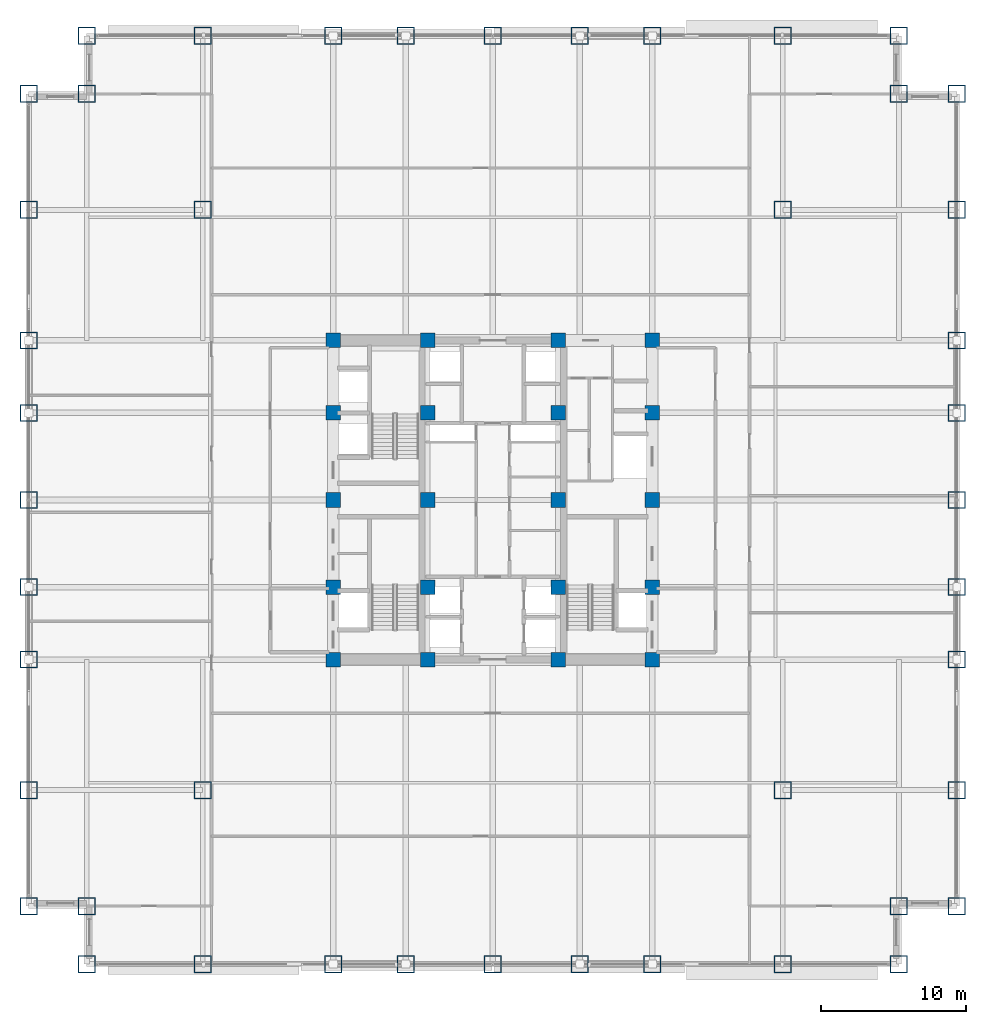
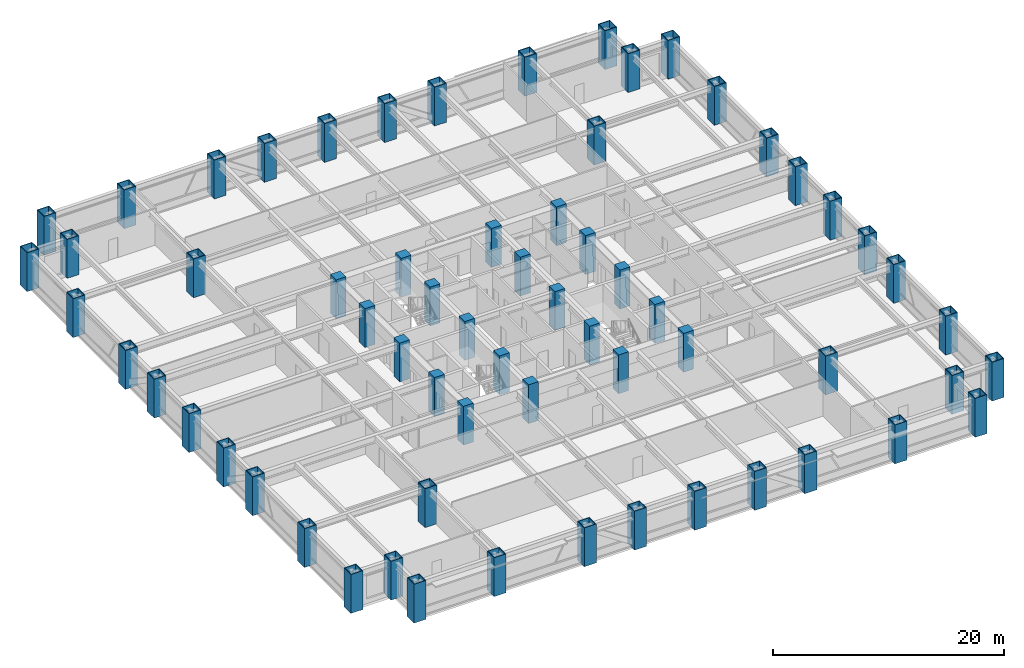
# One storey, part 1 of 32: 64 columns.
"""IFC4 building model written with IfcOpenShell, lengths in metres."""

import ifcopenshell
import ifcopenshell.guid

model = None  # the IFC model being written
_history = None  # IfcOwnerHistory: only IFC2X3 demands one
_inside = {}  # id of a spatial element -> (the spatial element, [elements in it])
_under = {}  # id of a project, library or spatial element -> (it, [spatial elements below it])
_declared = {}  # id of a project -> (the project, [libraries it declares])
_typed = {}  # id of a type object -> (the type object, [elements of that type])
_made_of = {}  # id of a material, layer set ... -> (it, [elements and type objects made of it])


def new_model(schema):
    """Start an empty IFC model of exactly this schema.

    Asked for "IFC4X3", IfcOpenShell would pick the latest addendum, in which some entities
    have other attributes; the version numbers below select the first issue.
    IFC2X3 requires an IfcOwnerHistory on every rooted entity: one is made here for all.
    """
    global model, _history
    if schema == "IFC4X3":
        model = ifcopenshell.file(schema_version=(4, 3, 0, 0))
    else:
        model = ifcopenshell.file(schema=schema)
    _inside.clear()
    _under.clear()
    _declared.clear()
    _typed.clear()
    _made_of.clear()
    _history = None
    if model.schema == "IFC2X3":
        org = make("IfcOrganization", Name="unknown")
        user = make(
            "IfcPersonAndOrganization",
            ThePerson=make("IfcPerson", FamilyName="unknown"),
            TheOrganization=org,
        )
        app = make(
            "IfcApplication",
            ApplicationDeveloper=org,
            Version="unknown",
            ApplicationFullName="unknown",
            ApplicationIdentifier="unknown",
        )
        _history = make(
            "IfcOwnerHistory",
            OwningUser=user,
            OwningApplication=app,
            ChangeAction="ADDED",
            CreationDate=0,
        )
    return model


def make(cls, **values):
    """One entity of the class cls with the attributes given. An attribute that is None is left unset."""
    return model.create_entity(
        cls, **{name: value for name, value in values.items() if value is not None}
    )


def rooted(cls, **values):
    """An entity with a GlobalId (a new one), such as an element, a storey or a relation."""
    return make(cls, GlobalId=ifcopenshell.guid.new(), OwnerHistory=_history, **values)


def si_unit(unit_type, name, prefix=None):
    """IfcSIUnit, for example si_unit("LENGTHUNIT", "METRE", prefix="MILLI")."""
    return make("IfcSIUnit", UnitType=unit_type, Prefix=prefix, Name=name)


def assignment(units):
    """IfcUnitAssignment: the units of a project."""
    return None if units is None else make("IfcUnitAssignment", Units=units)


def point(xyz):
    """IfcCartesianPoint."""
    return None if xyz is None else make("IfcCartesianPoint", Coordinates=xyz)


def direction(xyz):
    """IfcDirection."""
    return None if xyz is None else make("IfcDirection", DirectionRatios=xyz)


def frame(location, z_axis=None, x_axis=None):
    """IfcAxis2Placement3D, a coordinate frame: its origin and axes. An axis left out is left unset."""
    return make(
        "IfcAxis2Placement3D",
        Location=point(location),
        Axis=direction(z_axis),
        RefDirection=direction(x_axis),
    )


def frame_2d(location, x_axis=None):
    """IfcAxis2Placement2D, a coordinate frame in the plane: its origin and x axis."""
    return make(
        "IfcAxis2Placement2D", Location=point(location), RefDirection=direction(x_axis)
    )


def origin():
    """The frame at (0, 0, 0) with its axes left unset."""
    return frame((0.0, 0.0, 0.0))


def origin_2d():
    """The frame at (0, 0) in the plane with its x axis left unset."""
    return frame_2d((0.0, 0.0))


def place(relative_to, where):
    """IfcLocalPlacement: puts the frame where relative to a parent placement (None: the world)."""
    return make(
        "IfcLocalPlacement", PlacementRelTo=relative_to, RelativePlacement=where
    )


def context(
    kind, dimensions, precision=None, world=None, true_north=None, identifier=None
):
    """IfcGeometricRepresentationContext, for example the 3D "Model" context."""
    return make(
        "IfcGeometricRepresentationContext",
        ContextIdentifier=identifier,
        ContextType=kind,
        CoordinateSpaceDimension=dimensions,
        Precision=precision,
        WorldCoordinateSystem=world,
        TrueNorth=true_north,
    )


def subcontext(parent, identifier, kind, view, scale=None):
    """IfcGeometricRepresentationSubContext, for example "Body" below "Model"."""
    return make(
        "IfcGeometricRepresentationSubContext",
        ContextIdentifier=identifier,
        ContextType=kind,
        ParentContext=parent,
        TargetScale=scale,
        TargetView=view,
    )


def project(units=None, contexts=None):
    """IfcProject with its units and contexts."""
    return rooted(
        "IfcProject",
        Name="project",
        RepresentationContexts=contexts,
        UnitsInContext=assignment(units),
    )


def spatial(cls, under=None, at=None, **own):
    """A site, building, storey or space (cls), placed at a placement, below another one or the project."""
    s = rooted(cls, ObjectPlacement=at, **own)
    if under is not None:
        _under.setdefault(under.id(), (under, []))[1].append(s)
    return s


def profile(cls, at=None, kind="AREA", **sizes):
    """A parametric profile (cls). Its sizes go by their IFC names, for example OverallWidth=200.0."""
    return make(cls, ProfileType=kind, Position=at, **sizes)


def rectangle(**sizes):
    """IfcRectangleProfileDef."""
    return profile("IfcRectangleProfileDef", **sizes)


def hollow_rectangle(**sizes):
    """IfcRectangleHollowProfileDef."""
    return profile("IfcRectangleHollowProfileDef", **sizes)


def extrude(swept, where, along, depth):
    """IfcExtrudedAreaSolid: the profile swept, set in the frame where, extruded along a direction by depth."""
    return make(
        "IfcExtrudedAreaSolid",
        SweptArea=swept,
        Position=where,
        ExtrudedDirection=direction(along),
        Depth=depth,
    )


def shape(context_of_items, identifier, shape_type, items):
    """IfcShapeRepresentation: the items that make up one representation, for example the "Body"."""
    return make(
        "IfcShapeRepresentation",
        ContextOfItems=context_of_items,
        RepresentationIdentifier=identifier,
        RepresentationType=shape_type,
        Items=items,
    )


def source(mapping_origin, context_of_items, identifier, shape_type, items):
    """IfcRepresentationMap: a shape defined once, which mapped items show again and again."""
    return make(
        "IfcRepresentationMap",
        MappingOrigin=mapping_origin,
        MappedRepresentation=shape(context_of_items, identifier, shape_type, items),
    )


def transform(
    local_origin,
    x_axis=None,
    y_axis=None,
    z_axis=None,
    scale=None,
    scale2=None,
    scale3=None,
    uniform=True,
):
    """IfcCartesianTransformationOperator3D, or its non-uniform kind. x_axis, y_axis, z_axis: its Axis1, 2, 3."""
    if uniform:
        return make(
            "IfcCartesianTransformationOperator3D",
            Axis1=direction(x_axis),
            Axis2=direction(y_axis),
            LocalOrigin=point(local_origin),
            Scale=scale,
            Axis3=direction(z_axis),
        )
    return make(
        "IfcCartesianTransformationOperator3DnonUniform",
        Axis1=direction(x_axis),
        Axis2=direction(y_axis),
        LocalOrigin=point(local_origin),
        Scale=scale,
        Axis3=direction(z_axis),
        Scale2=scale2,
        Scale3=scale3,
    )


def mapped(mapping_source, mapping_target):
    """IfcMappedItem: shows the shape of a source again, moved by a transform."""
    return make(
        "IfcMappedItem", MappingSource=mapping_source, MappingTarget=mapping_target
    )


def material(Name=None, Category=None):
    """IfcMaterial."""
    return make("IfcMaterial", Name=Name, Category=Category)


def material_profile(
    of_material, cross_section, Name=None, Category=None, Priority=None
):
    """IfcMaterialProfile: a cross section and its material."""
    return make(
        "IfcMaterialProfile",
        Name=Name,
        Material=of_material,
        Profile=cross_section,
        Priority=Priority,
        Category=Category,
    )


def profile_set(profiles, Name=None, composite=None):
    """IfcMaterialProfileSet."""
    return make(
        "IfcMaterialProfileSet",
        Name=Name,
        MaterialProfiles=profiles,
        CompositeProfile=composite,
    )


def made_of(thing, what):
    """Note that an element or type object is made of a material, layer set ...; save() writes the relation."""
    if what is not None:
        _made_of.setdefault(what.id(), (what, []))[1].append(thing)
    return thing


def type_object(cls, material=None, **own):
    """A type object (cls), such as IfcWallType, which elements share."""
    return made_of(rooted(cls, **own), material)


def element(
    cls,
    number,
    at=None,
    inside=None,
    cuts=None,
    type_object=None,
    material=None,
    context=None,
    identifier="Body",
    shape_type=None,
    held_by="IfcProductDefinitionShape",
    body=None,
    shapes=None,
    **own,
):
    """One element of the class cls, such as IfcWall. Its Tag is "e" and its number.

    at: its placement. inside: the storey or other place that contains it. cuts: it is an
    opening in that element (IfcRelVoidsElement). A single representation is given by context,
    identifier, shape_type and body (its items); several are given by shapes. held_by: the class
    of the entity that holds the representations. save() writes the other relations.
    """
    e = rooted(cls, Tag="e%d" % number, ObjectPlacement=at, **own)
    if body is not None:
        shapes = [shape(context, identifier, shape_type, body)]
    if shapes is not None:
        e.Representation = make(held_by, Representations=shapes)
    if inside is not None:
        _inside.setdefault(inside.id(), (inside, []))[1].append(e)
    if cuts is not None:
        rooted(
            "IfcRelVoidsElement", RelatingBuildingElement=cuts, RelatedOpeningElement=e
        )
    if type_object is not None:
        _typed.setdefault(type_object.id(), (type_object, []))[1].append(e)
    return made_of(e, material)


def aggregate(whole, parts):
    """IfcRelAggregates: a whole, such as a stair, and the parts it consists of."""
    return rooted("IfcRelAggregates", RelatingObject=whole, RelatedObjects=parts)


def save(model, path):
    """Write the relations noted so far, then the file.

    IfcRelAggregates (storeys below a building ...), IfcRelContainedInSpatialStructure (elements
    in a storey), IfcRelDefinesByType, IfcRelAssociatesMaterial and IfcRelDeclares: one each for
    every whole, place, type object, material and project.
    """
    for whole, parts in _under.values():
        aggregate(whole, parts)
    for where, things in _inside.values():
        rooted(
            "IfcRelContainedInSpatialStructure",
            RelatedElements=things,
            RelatingStructure=where,
        )
    for kind, things in _typed.values():
        rooted("IfcRelDefinesByType", RelatedObjects=things, RelatingType=kind)
    for what, things in _made_of.values():
        rooted("IfcRelAssociatesMaterial", RelatedObjects=things, RelatingMaterial=what)
    for by, libraries in _declared.values():
        rooted("IfcRelDeclares", RelatingContext=by, RelatedDefinitions=libraries)
    model.write(path)


model = new_model("IFC4")

# Units and contexts
model_context = context("Model", 3, precision=1e-05, world=origin(), true_north=direction((0.0, 1.0)))
body_context = subcontext(model_context, "Body", "Model", "MODEL_VIEW")
ifc_project = project(units=[si_unit("LENGTHUNIT", "METRE"), si_unit("AREAUNIT", "SQUARE_METRE"), si_unit("VOLUMEUNIT", "CUBIC_METRE"), si_unit("PLANEANGLEUNIT", "RADIAN"), si_unit("MASSUNIT", "GRAM", prefix="KILO")], contexts=[model_context])

# Site, building, storey
site_placement = place(None, origin())
site = spatial("IfcSite", under=ifc_project, at=site_placement, CompositionType="ELEMENT")
building_placement = place(site_placement, origin())
building = spatial("IfcBuilding", under=site, at=building_placement, Name="Khorayat Bourse Tower", CompositionType="ELEMENT")
storey_placement = place(building_placement, frame((0.0, 0.0, 91.39990234375)))
storey = spatial("IfcBuildingStorey", under=building, at=storey_placement, Name="L20", CompositionType="ELEMENT", Elevation=91.39990234375)

# Columns
ifc_material_1 = material(Name="Steel EN 10025-4 S460M", Category="steel")
ifc_material_profile_1 = material_profile(ifc_material_1, hollow_rectangle(XDim=1.199951171875, YDim=1.199951171875, WallThickness=0.070068359375, at=origin_2d()), Name="BOX 1200x1200x70")
ifc_profile_set_1 = profile_set([ifc_material_profile_1], Name="Steel EN 10025-4 S460M")
column_type_1 = type_object("IfcColumnType", Name="COL-TUBE-1200", PredefinedType="COLUMN", material=ifc_profile_set_1)
shared_shape_1 = source(origin(), body_context, "Body", "SweptSolid", [
    extrude(hollow_rectangle(XDim=1.199951171875, YDim=1.199951171875, WallThickness=0.070068359375, at=origin_2d()), origin(), (0.0, 0.0, 1.0), 4.10009765625),
])
for number, where, z_axis, x_axis, name in (
    (1, (-32.0, -28.0, 0.0), (0.0, 0.0, 1.0), (1.0, 0.0, 0.0), "L20 Column 001"),
    (2, (-32.0, -20.0, 0.0), (0.0, 0.0, 1.0), (1.0, 0.0, 0.0), "L20 Column 002"),
    (3, (-32.0, -11.0, 0.0), (0.0, 0.0, 1.0), (1.0, 0.0, 0.0), "L20 Column 003"),
    (4, (-32.0, -6.0, 0.0), (0.0, 0.0, 1.0), (1.0, 0.0, 0.0), "L20 Column 004"),
    (5, (-32.0, 0.0, 0.0), (0.0, 0.0, 1.0), (1.0, 0.0, 0.0), "L20 Column 005"),
    (6, (-32.0, 6.0, 0.0), (0.0, 0.0, 1.0), (1.0, 0.0, 0.0), "L20 Column 006"),
    (7, (-32.0, 11.0, 0.0), (0.0, 0.0, 1.0), (1.0, 0.0, 0.0), "L20 Column 007"),
    (8, (-32.0, 20.0, 0.0), (0.0, 0.0, 1.0), (1.0, 0.0, 0.0), "L20 Column 008"),
    (9, (-32.0, 28.0, 0.0), (0.0, 0.0, 1.0), (1.0, 0.0, 0.0), "L20 Column 009"),
    (10, (-28.0, -32.0, 0.0), (0.0, 0.0, 1.0), (1.0, 0.0, 0.0), "L20 Column 010"),
    (11, (-28.0, -28.0, 0.0), (0.0, 0.0, 1.0), (1.0, 0.0, 0.0), "L20 Column 011"),
    (12, (-28.0, 28.0, 0.0), (0.0, 0.0, 1.0), (1.0, 0.0, 0.0), "L20 Column 012"),
    (13, (-28.0, 32.0, 0.0), (0.0, 0.0, 1.0), (1.0, 0.0, 0.0), "L20 Column 013"),
    (14, (-20.0, -32.0, 0.0), (0.0, 0.0, 1.0), (1.0, 0.0, 0.0), "L20 Column 014"),
    (15, (-20.0, -20.0, 0.0), (0.0, 0.0, 1.0), (1.0, 0.0, 0.0), "L20 Column 015"),
    (16, (-20.0, 20.0, 0.0), (0.0, 0.0, 1.0), (1.0, 0.0, 0.0), "L20 Column 016"),
    (17, (-20.0, 32.0, 0.0), (0.0, 0.0, 1.0), (1.0, 0.0, 0.0), "L20 Column 017"),
    (18, (-11.0, -32.0, 0.0), (0.0, 0.0, 1.0), (1.0, 0.0, 0.0), "L20 Column 018"),
    (19, (-11.0, 32.0, 0.0), (0.0, 0.0, 1.0), (1.0, 0.0, 0.0), "L20 Column 024"),
    (20, (-6.0, -32.0, 0.0), (0.0, 0.0, 1.0), (1.0, 0.0, 0.0), "L20 Column 025"),
    (21, (-6.0, 32.0, 0.0), (0.0, 0.0, 1.0), (1.0, 0.0, 0.0), "L20 Column 026"),
    (22, (0.0, -32.0, 0.0), (0.0, 0.0, 1.0), (1.0, 0.0, 0.0), "L20 Column 032"),
    (23, (0.0, 32.0, 0.0), (0.0, 0.0, 1.0), (1.0, 0.0, 0.0), "L20 Column 033"),
    (24, (6.0, -32.0, 0.0), (0.0, 0.0, 1.0), (1.0, 0.0, 0.0), "L20 Column 039"),
    (25, (6.0, 32.0, 0.0), (0.0, 0.0, 1.0), (1.0, 0.0, 0.0), "L20 Column 040"),
    (26, (11.0, -32.0, 0.0), (0.0, 0.0, 1.0), (1.0, 0.0, 0.0), "L20 Column 041"),
    (27, (11.0, 32.0, 0.0), (0.0, 0.0, 1.0), (1.0, 0.0, 0.0), "L20 Column 047"),
    (28, (20.0, -32.0, 0.0), (0.0, 0.0, 1.0), (1.0, 0.0, 0.0), "L20 Column 048"),
    (29, (20.0, -20.0, 0.0), (0.0, 0.0, 1.0), (1.0, 0.0, 0.0), "L20 Column 049"),
    (30, (20.0, 20.0, 0.0), (0.0, 0.0, 1.0), (1.0, 0.0, 0.0), "L20 Column 050"),
    (31, (20.0, 32.0, 0.0), (0.0, 0.0, 1.0), (1.0, 0.0, 0.0), "L20 Column 051"),
    (32, (28.0, -32.0, 0.0), (0.0, 0.0, 1.0), (1.0, 0.0, 0.0), "L20 Column 052"),
    (33, (28.0, -28.0, 0.0), (0.0, 0.0, 1.0), (1.0, 0.0, 0.0), "L20 Column 053"),
    (34, (28.0, 28.0, 0.0), (0.0, 0.0, 1.0), (1.0, 0.0, 0.0), "L20 Column 054"),
    (35, (28.0, 32.0, 0.0), (0.0, 0.0, 1.0), (1.0, 0.0, 0.0), "L20 Column 055"),
    (36, (32.0, -28.0, 0.0), (0.0, 0.0, 1.0), (1.0, 0.0, 0.0), "L20 Column 056"),
    (37, (32.0, -20.0, 0.0), (0.0, 0.0, 1.0), (1.0, 0.0, 0.0), "L20 Column 057"),
    (38, (32.0, -11.0, 0.0), (0.0, 0.0, 1.0), (1.0, 0.0, 0.0), "L20 Column 058"),
    (39, (32.0, -6.0, 0.0), (0.0, 0.0, 1.0), (1.0, 0.0, 0.0), "L20 Column 059"),
    (40, (32.0, 0.0, 0.0), (0.0, 0.0, 1.0), (1.0, 0.0, 0.0), "L20 Column 060"),
    (41, (32.0, 6.0, 0.0), (0.0, 0.0, 1.0), (1.0, 0.0, 0.0), "L20 Column 061"),
    (42, (32.0, 11.0, 0.0), (0.0, 0.0, 1.0), (1.0, 0.0, 0.0), "L20 Column 062"),
    (43, (32.0, 20.0, 0.0), (0.0, 0.0, 1.0), (1.0, 0.0, 0.0), "L20 Column 063"),
    (44, (32.0, 28.0, 0.0), (0.0, 0.0, 1.0), (1.0, 0.0, 0.0), "L20 Column 064"),
):
    element("IfcColumn", number, at=place(storey_placement, frame(where, z_axis=z_axis, x_axis=x_axis)), inside=storey, type_object=column_type_1, Name=name, PredefinedType="COLUMN", context=body_context, shape_type="MappedRepresentation", body=[
        mapped(shared_shape_1, transform((0.0, 0.0, 0.0), scale=1.0)),
    ])
ifc_material_2 = material(Name="Concrete C72/90", Category="concrete")
ifc_material_profile_2 = material_profile(ifc_material_2, rectangle(XDim=1.0, YDim=1.0, at=origin_2d()), Name="RC 1000x1000")
ifc_profile_set_2 = profile_set([ifc_material_profile_2], Name="Concrete C72/90")
column_type_2 = type_object("IfcColumnType", Name="COL-CORE-1000", PredefinedType="COLUMN", material=ifc_profile_set_2)
shared_shape_2 = source(origin(), body_context, "Body", "SweptSolid", [
    extrude(rectangle(XDim=1.0, YDim=1.0, at=origin_2d()), origin(), (0.0, 0.0, 1.0), 4.10009765625),
])
for number, where, z_axis, x_axis, name in (
    (45, (-11.0, -11.0, 0.0), (0.0, 0.0, 1.0), (1.0, 0.0, 0.0), "L20 Column 019"),
    (46, (-11.0, -6.0, 0.0), (0.0, 0.0, 1.0), (1.0, 0.0, 0.0), "L20 Column 020"),
    (47, (-11.0, 0.0, 0.0), (0.0, 0.0, 1.0), (1.0, 0.0, 0.0), "L20 Column 021"),
    (48, (-11.0, 6.0, 0.0), (0.0, 0.0, 1.0), (1.0, 0.0, 0.0), "L20 Column 022"),
    (49, (-11.0, 11.0, 0.0), (0.0, 0.0, 1.0), (1.0, 0.0, 0.0), "L20 Column 023"),
    (50, (-4.5, -11.0, 0.0), (0.0, 0.0, 1.0), (1.0, 0.0, 0.0), "L20 Column 027"),
    (51, (-4.5, -6.0, 0.0), (0.0, 0.0, 1.0), (1.0, 0.0, 0.0), "L20 Column 028"),
    (52, (-4.5, 0.0, 0.0), (0.0, 0.0, 1.0), (1.0, 0.0, 0.0), "L20 Column 029"),
    (53, (-4.5, 6.0, 0.0), (0.0, 0.0, 1.0), (1.0, 0.0, 0.0), "L20 Column 030"),
    (54, (-4.5, 11.0, 0.0), (0.0, 0.0, 1.0), (1.0, 0.0, 0.0), "L20 Column 031"),
    (55, (4.5, -11.0, 0.0), (0.0, 0.0, 1.0), (1.0, 0.0, 0.0), "L20 Column 034"),
    (56, (4.5, -6.0, 0.0), (0.0, 0.0, 1.0), (1.0, 0.0, 0.0), "L20 Column 035"),
    (57, (4.5, 0.0, 0.0), (0.0, 0.0, 1.0), (1.0, 0.0, 0.0), "L20 Column 036"),
    (58, (4.5, 6.0, 0.0), (0.0, 0.0, 1.0), (1.0, 0.0, 0.0), "L20 Column 037"),
    (59, (4.5, 11.0, 0.0), (0.0, 0.0, 1.0), (1.0, 0.0, 0.0), "L20 Column 038"),
    (60, (11.0, -11.0, 0.0), (0.0, 0.0, 1.0), (1.0, 0.0, 0.0), "L20 Column 042"),
    (61, (11.0, -6.0, 0.0), (0.0, 0.0, 1.0), (1.0, 0.0, 0.0), "L20 Column 043"),
    (62, (11.0, 0.0, 0.0), (0.0, 0.0, 1.0), (1.0, 0.0, 0.0), "L20 Column 044"),
    (63, (11.0, 6.0, 0.0), (0.0, 0.0, 1.0), (1.0, 0.0, 0.0), "L20 Column 045"),
    (64, (11.0, 11.0, 0.0), (0.0, 0.0, 1.0), (1.0, 0.0, 0.0), "L20 Column 046"),
):
    element("IfcColumn", number, at=place(storey_placement, frame(where, z_axis=z_axis, x_axis=x_axis)), inside=storey, type_object=column_type_2, Name=name, PredefinedType="COLUMN", context=body_context, shape_type="MappedRepresentation", body=[
        mapped(shared_shape_2, transform((0.0, 0.0, 0.0), scale=1.0)),
    ])

save(model, "model.ifc")
